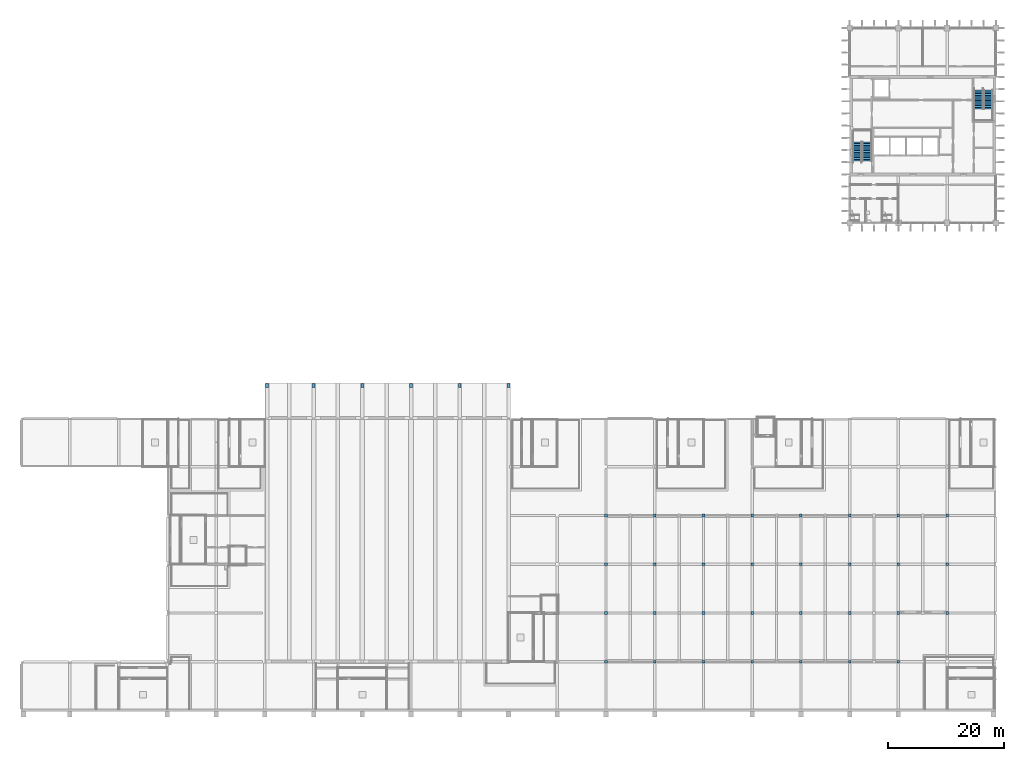
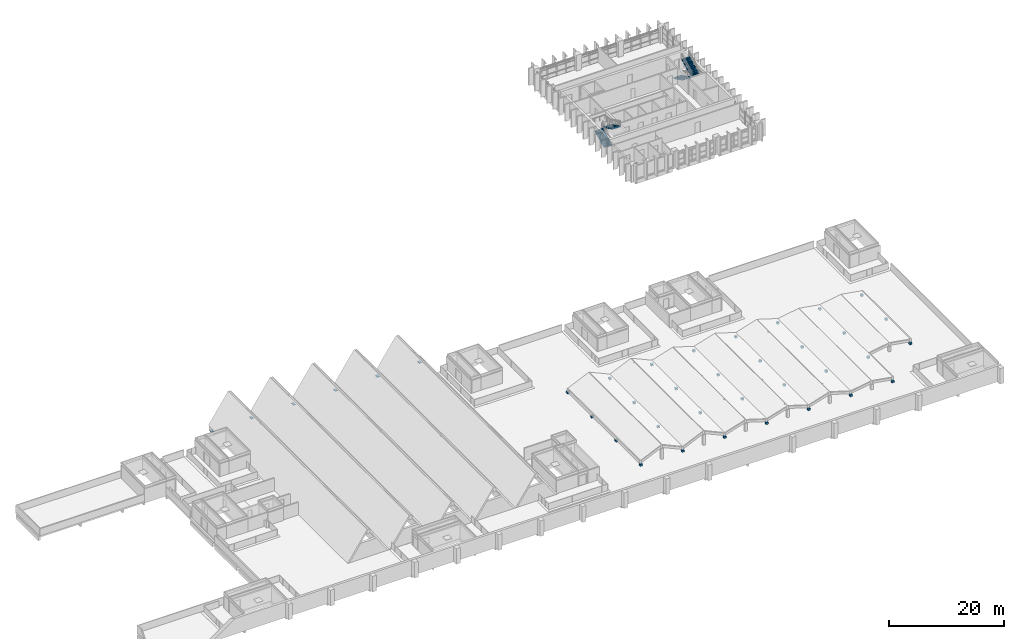
# One storey, part 19 of 24: 31 walls, 6 discrete accessories, 4 stair flights, 2 elements without a shape of their own.
"""IFC4 building model written with IfcOpenShell, lengths in metres."""

from ifc_helpers import new_model, si_unit, direction, frame, frame_2d, origin, origin_2d, place, context, subcontext, project, spatial, polyline, rectangle, outline, extrude, material, layer, layer_set, type_object, element, aggregate, save


model = new_model("IFC4")

# Units and contexts
model_context = context("Model", 3, precision=1e-05, world=origin(), true_north=direction((0.0, 1.0)))
body_context = subcontext(model_context, "Body", "Model", "MODEL_VIEW")
ifc_project = project(units=[si_unit("LENGTHUNIT", "METRE"), si_unit("AREAUNIT", "SQUARE_METRE"), si_unit("VOLUMEUNIT", "CUBIC_METRE"), si_unit("PLANEANGLEUNIT", "RADIAN"), si_unit("MASSUNIT", "GRAM", prefix="KILO")], contexts=[model_context])

# Site, building, storey
site_placement = place(None, origin())
site = spatial("IfcSite", under=ifc_project, at=site_placement, CompositionType="ELEMENT")
building_placement = place(site_placement, origin())
building = spatial("IfcBuilding", under=site, at=building_placement, Name="Rulbaag Community and Learning Centre", CompositionType="ELEMENT")
storey_placement = place(building_placement, frame((0.0, 0.0, 14.39990234375)))
storey = spatial("IfcBuildingStorey", under=building, at=storey_placement, Name="L03", CompositionType="ELEMENT", Elevation=14.39990234375)

# Walls
ifc_material_1 = material(Name="Concrete M40", Category="concrete")
ifc_layer = layer(ifc_material_1, 0.449951171875)
ifc_layer_set = layer_set([ifc_layer], Name="W15 Roof fold pier 450 Concrete M40")
wall_type = type_object("IfcWallType", Name="W15 Roof fold pier 450 Concrete M40", PredefinedType="SHEAR", material=ifc_layer_set)
for number, where, z_axis, x_axis, name in (
    (1, (100.800048828125, 8.175048828125, 0.0), (0.0, 0.0, 1.0), (0.0, 1.0, 0.0), "WL-RF-VB13-1-1"),
    (2, (100.800048828125, 16.574951171875, 0.0), (0.0, 0.0, 1.0), (0.0, 1.0, 0.0), "WL-RF-VB13-1-2"),
    (3, (100.800048828125, 24.97509765625, 0.0), (0.0, 0.0, 1.0), (0.0, 1.0, 0.0), "WL-RF-VB13-1-3"),
    (4, (100.800048828125, 33.375, 0.0), (0.0, 0.0, 1.0), (0.0, 1.0, 0.0), "WL-RF-VB13-1-4"),
    (5, (109.199951171875, 8.175048828125, 0.0), (0.0, 0.0, 1.0), (0.0, 1.0, 0.0), "WL-RF-VB13-2-1"),
    (6, (109.199951171875, 16.574951171875, 0.0), (0.0, 0.0, 1.0), (0.0, 1.0, 0.0), "WL-RF-VB13-2-2"),
    (7, (109.199951171875, 24.97509765625, 0.0), (0.0, 0.0, 1.0), (0.0, 1.0, 0.0), "WL-RF-VB13-2-3"),
    (8, (109.199951171875, 33.375, 0.0), (0.0, 0.0, 1.0), (0.0, 1.0, 0.0), "WL-RF-VB13-2-4"),
    (9, (117.60009765625, 8.175048828125, 0.0), (0.0, 0.0, 1.0), (0.0, 1.0, 0.0), "WL-RF-VB13-3-1"),
    (10, (117.60009765625, 16.574951171875, 0.0), (0.0, 0.0, 1.0), (0.0, 1.0, 0.0), "WL-RF-VB13-3-2"),
    (11, (117.60009765625, 24.97509765625, 0.0), (0.0, 0.0, 1.0), (0.0, 1.0, 0.0), "WL-RF-VB13-3-3"),
    (12, (117.60009765625, 33.375, 0.0), (0.0, 0.0, 1.0), (0.0, 1.0, 0.0), "WL-RF-VB13-3-4"),
    (13, (126.0, 8.175048828125, 0.0), (0.0, 0.0, 1.0), (0.0, 1.0, 0.0), "WL-RF-VB13-4-1"),
    (14, (126.0, 16.574951171875, 0.0), (0.0, 0.0, 1.0), (0.0, 1.0, 0.0), "WL-RF-VB13-4-2"),
    (15, (126.0, 24.97509765625, 0.0), (0.0, 0.0, 1.0), (0.0, 1.0, 0.0), "WL-RF-VB13-4-3"),
    (16, (126.0, 33.375, 0.0), (0.0, 0.0, 1.0), (0.0, 1.0, 0.0), "WL-RF-VB13-4-4"),
    (17, (134.39990234375, 8.175048828125, 0.0), (0.0, 0.0, 1.0), (0.0, 1.0, 0.0), "WL-RF-VB13-5-1"),
    (18, (134.39990234375, 16.574951171875, 0.0), (0.0, 0.0, 1.0), (0.0, 1.0, 0.0), "WL-RF-VB13-5-2"),
    (19, (134.39990234375, 24.97509765625, 0.0), (0.0, 0.0, 1.0), (0.0, 1.0, 0.0), "WL-RF-VB13-5-3"),
    (20, (134.39990234375, 33.375, 0.0), (0.0, 0.0, 1.0), (0.0, 1.0, 0.0), "WL-RF-VB13-5-4"),
    (21, (142.800048828125, 8.175048828125, 0.0), (0.0, 0.0, 1.0), (0.0, 1.0, 0.0), "WL-RF-VB13-6-1"),
    (22, (142.800048828125, 16.574951171875, 0.0), (0.0, 0.0, 1.0), (0.0, 1.0, 0.0), "WL-RF-VB13-6-2"),
    (23, (142.800048828125, 24.97509765625, 0.0), (0.0, 0.0, 1.0), (0.0, 1.0, 0.0), "WL-RF-VB13-6-3"),
    (24, (142.800048828125, 33.375, 0.0), (0.0, 0.0, 1.0), (0.0, 1.0, 0.0), "WL-RF-VB13-6-4"),
    (25, (151.199951171875, 8.175048828125, 0.0), (0.0, 0.0, 1.0), (0.0, 1.0, 0.0), "WL-RF-VB13-7-1"),
    (26, (151.199951171875, 16.574951171875, 0.0), (0.0, 0.0, 1.0), (0.0, 1.0, 0.0), "WL-RF-VB13-7-2"),
    (27, (151.199951171875, 24.97509765625, 0.0), (0.0, 0.0, 1.0), (0.0, 1.0, 0.0), "WL-RF-VB13-7-3"),
    (28, (151.199951171875, 33.375, 0.0), (0.0, 0.0, 1.0), (0.0, 1.0, 0.0), "WL-RF-VB13-7-4"),
    (29, (159.60009765625, 16.574951171875, 0.0), (0.0, 0.0, 1.0), (0.0, 1.0, 0.0), "WL-RF-VC19-2-1"),
    (30, (159.60009765625, 24.97509765625, 0.0), (0.0, 0.0, 1.0), (0.0, 1.0, 0.0), "WL-RF-VC19-2-2"),
    (31, (159.60009765625, 33.375, 0.0), (0.0, 0.0, 1.0), (0.0, 1.0, 0.0), "WL-RF-VC19-2-3"),
):
    element("IfcWall", number, at=place(storey_placement, frame(where, z_axis=z_axis, x_axis=x_axis)), inside=storey, type_object=wall_type, Name=name, PredefinedType="SHEAR", context=body_context, shape_type="SweptSolid", body=[
        extrude(rectangle(XDim=0.449951171875, YDim=0.449951171875, at=frame_2d((0.22509765625, 0.0))), origin(), (0.0, 0.0, 1.0), 0.400146484375),
    ])

# Stair, stair flights
stair_type = type_object("IfcStairType", Name="ST-1650 STAIR 1650 WIDE", PredefinedType="HALF_TURN_STAIR", material=ifc_material_1)
stair_1_placement = place(storey_placement, origin())
stair_1 = element("IfcStair", 32, at=stair_1_placement, inside=storey, type_object=stair_type, Name="Stair ST1 L03", PredefinedType="HALF_TURN_STAIR")
stair_flight_type = type_object("IfcStairFlightType", Name="FL-1650 FLIGHT 1650 WIDE Concrete M40", PredefinedType="STRAIGHT", material=ifc_material_1)
stair_flight_1_placement = place(storey_placement, frame((144.125, 94.675048828125, 0.0), z_axis=(0.0, 0.0, 1.0), x_axis=(0.0, 1.0, 0.0)))
stair_flight_1 = element("IfcStairFlight", 33, at=stair_flight_1_placement, type_object=stair_flight_type, Name="ST1 flight 1", NumberOfRisers=12, NumberOfTreads=11, PredefinedType="STRAIGHT", RiserHeight=0.15, TreadLength=0.3, context=body_context, shape_type="SweptSolid", body=[
    extrude(outline(polyline([(0.0, 0.0), (0.0, 0.14990234375), (0.300048828125, 0.14990234375), (0.300048828125, 0.300048828125), (0.60009765625, 0.300048828125), (0.60009765625, 0.449951171875), (0.89990234375, 0.449951171875), (0.89990234375, 0.60009765625), (1.199951171875, 0.60009765625), (1.199951171875, 0.75), (1.5, 0.75), (1.5, 0.89990234375), (1.800048828125, 0.89990234375), (1.800048828125, 1.050048828125), (2.10009765625, 1.050048828125), (2.10009765625, 1.199951171875), (2.39990234375, 1.199951171875), (2.39990234375, 1.35009765625), (2.699951171875, 1.35009765625), (2.699951171875, 1.5), (3.0, 1.5), (3.0, 1.64990234375), (3.300048828125, 1.64990234375), (3.300048828125, 1.49365234375), (0.312744140625, 0.0), (0.0, 0.0)])), frame((0.0, 0.824951171875, 0.0), z_axis=(0.0, -1.0, 0.0), x_axis=(1.0, 0.0, 0.0)), (0.0, 0.0, 1.0), 1.64990234375),
])
stair_flight_2_placement = place(storey_placement, frame((145.77490234375, 97.97509765625, 1.800048828125), z_axis=(0.0, 0.0, 1.0), x_axis=(0.0, -1.0, 0.0)))
stair_flight_2 = element("IfcStairFlight", 34, at=stair_flight_2_placement, type_object=stair_flight_type, Name="ST1 flight 2", NumberOfRisers=12, NumberOfTreads=11, PredefinedType="STRAIGHT", RiserHeight=0.15, TreadLength=0.3, context=body_context, shape_type="SweptSolid", body=[
    extrude(outline(polyline([(0.0, 0.0), (0.0, 0.14990234375), (0.300048828125, 0.14990234375), (0.300048828125, 0.300048828125), (0.60009765625, 0.300048828125), (0.60009765625, 0.449951171875), (0.89990234375, 0.449951171875), (0.89990234375, 0.60009765625), (1.199951171875, 0.60009765625), (1.199951171875, 0.75), (1.5, 0.75), (1.5, 0.89990234375), (1.800048828125, 0.89990234375), (1.800048828125, 1.050048828125), (2.10009765625, 1.050048828125), (2.10009765625, 1.199951171875), (2.39990234375, 1.199951171875), (2.39990234375, 1.35009765625), (2.699951171875, 1.35009765625), (2.699951171875, 1.5), (3.0, 1.5), (3.0, 1.64990234375), (3.300048828125, 1.64990234375), (3.300048828125, 1.49365234375), (0.312744140625, 0.0), (0.0, 0.0)])), frame((0.0, 0.824951171875, 0.0), z_axis=(0.0, -1.0, 0.0), x_axis=(1.0, 0.0, 0.0)), (0.0, 0.0, 1.0), 1.64990234375),
])
aggregate(stair_1, [stair_flight_1, stair_flight_2])

stair_2_placement = place(storey_placement, origin())
stair_2 = element("IfcStair", 35, at=stair_2_placement, inside=storey, type_object=stair_type, Name="Stair ST2 L03", PredefinedType="HALF_TURN_STAIR")
stair_flight_3_placement = place(storey_placement, frame((165.02490234375, 106.925048828125, 0.0), z_axis=(0.0, 0.0, 1.0), x_axis=(0.0, -1.0, 0.0)))
stair_flight_3 = element("IfcStairFlight", 36, at=stair_flight_3_placement, type_object=stair_flight_type, Name="ST2 flight 1", NumberOfRisers=12, NumberOfTreads=11, PredefinedType="STRAIGHT", RiserHeight=0.15, TreadLength=0.3, context=body_context, shape_type="SweptSolid", body=[
    extrude(outline(polyline([(0.0, 0.0), (0.0, 0.14990234375), (0.300048828125, 0.14990234375), (0.300048828125, 0.300048828125), (0.60009765625, 0.300048828125), (0.60009765625, 0.449951171875), (0.89990234375, 0.449951171875), (0.89990234375, 0.60009765625), (1.199951171875, 0.60009765625), (1.199951171875, 0.75), (1.5, 0.75), (1.5, 0.89990234375), (1.800048828125, 0.89990234375), (1.800048828125, 1.050048828125), (2.10009765625, 1.050048828125), (2.10009765625, 1.199951171875), (2.39990234375, 1.199951171875), (2.39990234375, 1.35009765625), (2.699951171875, 1.35009765625), (2.699951171875, 1.5), (3.0, 1.5), (3.0, 1.64990234375), (3.300048828125, 1.64990234375), (3.300048828125, 1.49365234375), (0.312744140625, 0.0), (0.0, 0.0)])), frame((0.0, 0.824951171875, 0.0), z_axis=(0.0, -1.0, 0.0), x_axis=(1.0, 0.0, 0.0)), (0.0, 0.0, 1.0), 1.64990234375),
])
stair_flight_4_placement = place(storey_placement, frame((166.675048828125, 103.625, 1.800048828125), z_axis=(0.0, 0.0, 1.0), x_axis=(0.0, 1.0, 0.0)))
stair_flight_4 = element("IfcStairFlight", 37, at=stair_flight_4_placement, type_object=stair_flight_type, Name="ST2 flight 2", NumberOfRisers=12, NumberOfTreads=11, PredefinedType="STRAIGHT", RiserHeight=0.15, TreadLength=0.3, context=body_context, shape_type="SweptSolid", body=[
    extrude(outline(polyline([(0.0, 0.0), (0.0, 0.14990234375), (0.300048828125, 0.14990234375), (0.300048828125, 0.300048828125), (0.60009765625, 0.300048828125), (0.60009765625, 0.449951171875), (0.89990234375, 0.449951171875), (0.89990234375, 0.60009765625), (1.199951171875, 0.60009765625), (1.199951171875, 0.75), (1.5, 0.75), (1.5, 0.89990234375), (1.800048828125, 0.89990234375), (1.800048828125, 1.050048828125), (2.10009765625, 1.050048828125), (2.10009765625, 1.199951171875), (2.39990234375, 1.199951171875), (2.39990234375, 1.35009765625), (2.699951171875, 1.35009765625), (2.699951171875, 1.5), (3.0, 1.5), (3.0, 1.64990234375), (3.300048828125, 1.64990234375), (3.300048828125, 1.49365234375), (0.312744140625, 0.0), (0.0, 0.0)])), frame((0.0, 0.824951171875, 0.0), z_axis=(0.0, -1.0, 0.0), x_axis=(1.0, 0.0, 0.0)), (0.0, 0.0, 1.0), 1.64990234375),
])
aggregate(stair_2, [stair_flight_3, stair_flight_4])

# Discrete accessories
ifc_material_2 = material(Name="Steel E350", Category="steel")
discrete_accessory_type = type_object("IfcDiscreteAccessoryType", Name="EP1 Strut head plate 730 x 500 x 25 Steel E350", PredefinedType="ANCHORPLATE", material=ifc_material_2)
for number, where, z_axis, x_axis, name in (
    (38, (42.39990234375, 55.985107421875, -1.099853515625), (0.0, 0.0, 1.0), (1.0, 0.0, 0.0), "Canopy strut head plate"),
    (39, (50.39990234375, 55.985107421875, -1.099853515625), (0.0, 0.0, 1.0), (1.0, 0.0, 0.0), "Canopy strut head plate"),
    (40, (58.800048828125, 55.985107421875, -1.099853515625), (0.0, 0.0, 1.0), (1.0, 0.0, 0.0), "Canopy strut head plate"),
    (41, (67.199951171875, 55.985107421875, -1.099853515625), (0.0, 0.0, 1.0), (1.0, 0.0, 0.0), "Canopy strut head plate"),
    (42, (75.60009765625, 55.985107421875, -1.099853515625), (0.0, 0.0, 1.0), (1.0, 0.0, 0.0), "Canopy strut head plate"),
    (43, (84.0, 55.985107421875, -1.099853515625), (0.0, 0.0, 1.0), (1.0, 0.0, 0.0), "Canopy strut head plate"),
):
    element("IfcDiscreteAccessory", number, at=place(storey_placement, frame(where, z_axis=z_axis, x_axis=x_axis)), inside=storey, type_object=discrete_accessory_type, Name=name, PredefinedType="ANCHORPLATE", context=body_context, shape_type="SweptSolid", body=[
        extrude(rectangle(XDim=0.5, YDim=0.72998046875, at=origin_2d()), origin(), (0.0, 0.0, 1.0), 0.02490234375),
    ])

save(model, "model.ifc")
